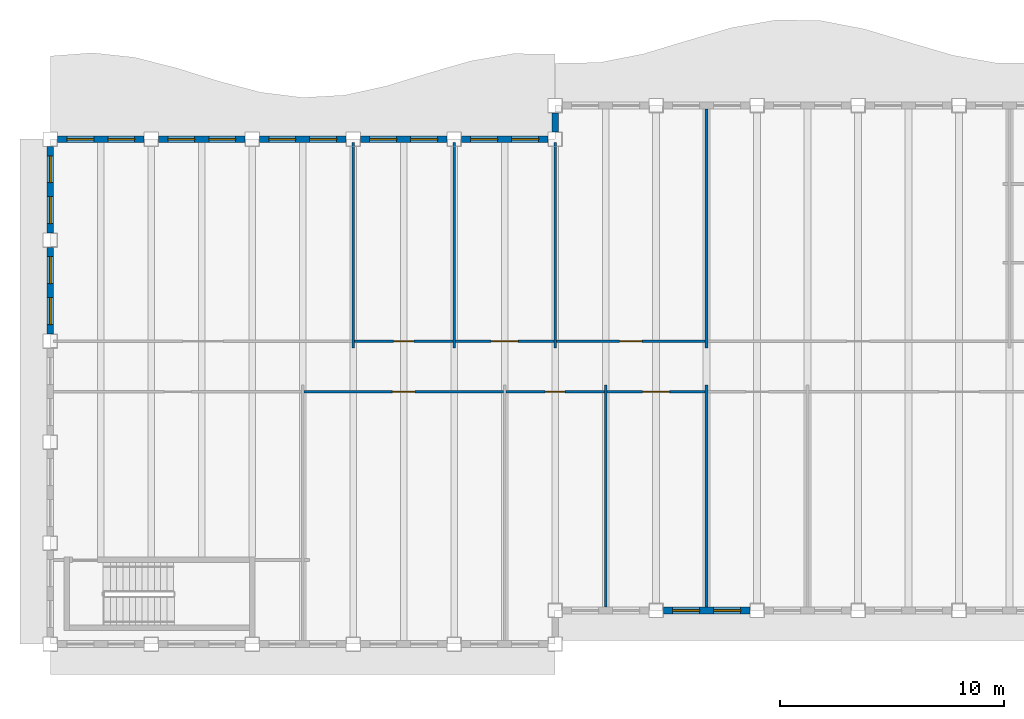
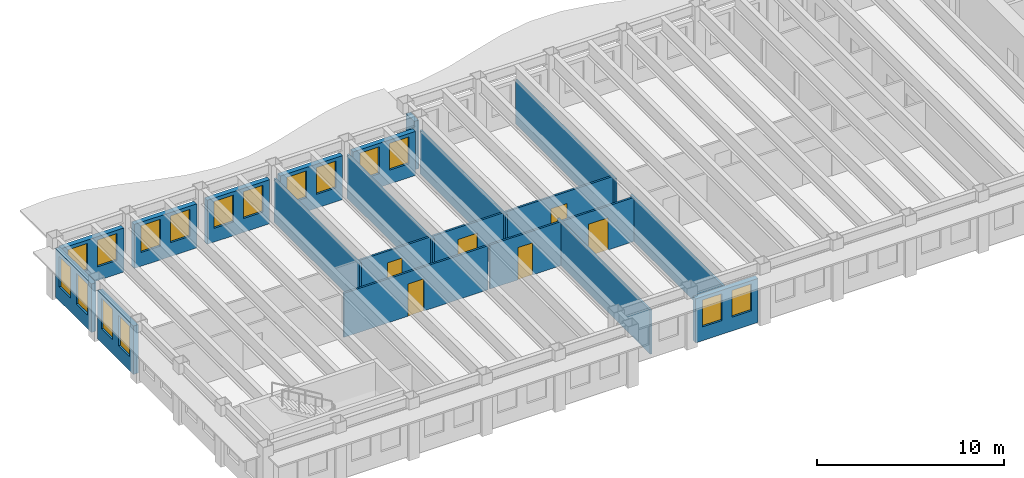
# One storey, part 3 of 12: 21 walls, 16 windows, 6 doors, 22 openings.
"""IFC4 building model written with IfcOpenShell, lengths in metres."""

import ifcopenshell
import ifcopenshell.guid

model = None  # the IFC model being written
_history = None  # IfcOwnerHistory: only IFC2X3 demands one
_inside = {}  # id of a spatial element -> (the spatial element, [elements in it])
_under = {}  # id of a project, library or spatial element -> (it, [spatial elements below it])
_declared = {}  # id of a project -> (the project, [libraries it declares])
_typed = {}  # id of a type object -> (the type object, [elements of that type])
_made_of = {}  # id of a material, layer set ... -> (it, [elements and type objects made of it])


def new_model(schema):
    """Start an empty IFC model of exactly this schema.

    Asked for "IFC4X3", IfcOpenShell would pick the latest addendum, in which some entities
    have other attributes; the version numbers below select the first issue.
    IFC2X3 requires an IfcOwnerHistory on every rooted entity: one is made here for all.
    """
    global model, _history
    if schema == "IFC4X3":
        model = ifcopenshell.file(schema_version=(4, 3, 0, 0))
    else:
        model = ifcopenshell.file(schema=schema)
    _inside.clear()
    _under.clear()
    _declared.clear()
    _typed.clear()
    _made_of.clear()
    _history = None
    if model.schema == "IFC2X3":
        org = make("IfcOrganization", Name="unknown")
        user = make(
            "IfcPersonAndOrganization",
            ThePerson=make("IfcPerson", FamilyName="unknown"),
            TheOrganization=org,
        )
        app = make(
            "IfcApplication",
            ApplicationDeveloper=org,
            Version="unknown",
            ApplicationFullName="unknown",
            ApplicationIdentifier="unknown",
        )
        _history = make(
            "IfcOwnerHistory",
            OwningUser=user,
            OwningApplication=app,
            ChangeAction="ADDED",
            CreationDate=0,
        )
    return model


def make(cls, **values):
    """One entity of the class cls with the attributes given. An attribute that is None is left unset."""
    return model.create_entity(
        cls, **{name: value for name, value in values.items() if value is not None}
    )


def rooted(cls, **values):
    """An entity with a GlobalId (a new one), such as an element, a storey or a relation."""
    return make(cls, GlobalId=ifcopenshell.guid.new(), OwnerHistory=_history, **values)


def si_unit(unit_type, name, prefix=None):
    """IfcSIUnit, for example si_unit("LENGTHUNIT", "METRE", prefix="MILLI")."""
    return make("IfcSIUnit", UnitType=unit_type, Prefix=prefix, Name=name)


def assignment(units):
    """IfcUnitAssignment: the units of a project."""
    return None if units is None else make("IfcUnitAssignment", Units=units)


def point(xyz):
    """IfcCartesianPoint."""
    return None if xyz is None else make("IfcCartesianPoint", Coordinates=xyz)


def direction(xyz):
    """IfcDirection."""
    return None if xyz is None else make("IfcDirection", DirectionRatios=xyz)


def frame(location, z_axis=None, x_axis=None):
    """IfcAxis2Placement3D, a coordinate frame: its origin and axes. An axis left out is left unset."""
    return make(
        "IfcAxis2Placement3D",
        Location=point(location),
        Axis=direction(z_axis),
        RefDirection=direction(x_axis),
    )


def frame_2d(location, x_axis=None):
    """IfcAxis2Placement2D, a coordinate frame in the plane: its origin and x axis."""
    return make(
        "IfcAxis2Placement2D", Location=point(location), RefDirection=direction(x_axis)
    )


def origin():
    """The frame at (0, 0, 0) with its axes left unset."""
    return frame((0.0, 0.0, 0.0))


def place(relative_to, where):
    """IfcLocalPlacement: puts the frame where relative to a parent placement (None: the world)."""
    return make(
        "IfcLocalPlacement", PlacementRelTo=relative_to, RelativePlacement=where
    )


def context(
    kind, dimensions, precision=None, world=None, true_north=None, identifier=None
):
    """IfcGeometricRepresentationContext, for example the 3D "Model" context."""
    return make(
        "IfcGeometricRepresentationContext",
        ContextIdentifier=identifier,
        ContextType=kind,
        CoordinateSpaceDimension=dimensions,
        Precision=precision,
        WorldCoordinateSystem=world,
        TrueNorth=true_north,
    )


def subcontext(parent, identifier, kind, view, scale=None):
    """IfcGeometricRepresentationSubContext, for example "Body" below "Model"."""
    return make(
        "IfcGeometricRepresentationSubContext",
        ContextIdentifier=identifier,
        ContextType=kind,
        ParentContext=parent,
        TargetScale=scale,
        TargetView=view,
    )


def project(units=None, contexts=None):
    """IfcProject with its units and contexts."""
    return rooted(
        "IfcProject",
        Name="project",
        RepresentationContexts=contexts,
        UnitsInContext=assignment(units),
    )


def spatial(cls, under=None, at=None, **own):
    """A site, building, storey or space (cls), placed at a placement, below another one or the project."""
    s = rooted(cls, ObjectPlacement=at, **own)
    if under is not None:
        _under.setdefault(under.id(), (under, []))[1].append(s)
    return s


def profile(cls, at=None, kind="AREA", **sizes):
    """A parametric profile (cls). Its sizes go by their IFC names, for example OverallWidth=200.0."""
    return make(cls, ProfileType=kind, Position=at, **sizes)


def rectangle(**sizes):
    """IfcRectangleProfileDef."""
    return profile("IfcRectangleProfileDef", **sizes)


def extrude(swept, where, along, depth):
    """IfcExtrudedAreaSolid: the profile swept, set in the frame where, extruded along a direction by depth."""
    return make(
        "IfcExtrudedAreaSolid",
        SweptArea=swept,
        Position=where,
        ExtrudedDirection=direction(along),
        Depth=depth,
    )


def shape(context_of_items, identifier, shape_type, items):
    """IfcShapeRepresentation: the items that make up one representation, for example the "Body"."""
    return make(
        "IfcShapeRepresentation",
        ContextOfItems=context_of_items,
        RepresentationIdentifier=identifier,
        RepresentationType=shape_type,
        Items=items,
    )


def material(Name=None, Category=None):
    """IfcMaterial."""
    return make("IfcMaterial", Name=Name, Category=Category)


def layer(
    of_material, thickness, ventilated=None, Name=None, Category=None, Priority=None
):
    """IfcMaterialLayer: one layer of a wall or slab, of a material (None: an air gap)."""
    return make(
        "IfcMaterialLayer",
        Material=of_material,
        LayerThickness=thickness,
        IsVentilated=ventilated,
        Name=Name,
        Category=Category,
        Priority=Priority,
    )


def layer_set(layers, Name=None):
    """IfcMaterialLayerSet."""
    return make("IfcMaterialLayerSet", MaterialLayers=layers, LayerSetName=Name)


def made_of(thing, what):
    """Note that an element or type object is made of a material, layer set ...; save() writes the relation."""
    if what is not None:
        _made_of.setdefault(what.id(), (what, []))[1].append(thing)
    return thing


def type_object(cls, material=None, **own):
    """A type object (cls), such as IfcWallType, which elements share."""
    return made_of(rooted(cls, **own), material)


def element(
    cls,
    number,
    at=None,
    inside=None,
    cuts=None,
    type_object=None,
    material=None,
    context=None,
    identifier="Body",
    shape_type=None,
    held_by="IfcProductDefinitionShape",
    body=None,
    shapes=None,
    **own,
):
    """One element of the class cls, such as IfcWall. Its Tag is "e" and its number.

    at: its placement. inside: the storey or other place that contains it. cuts: it is an
    opening in that element (IfcRelVoidsElement). A single representation is given by context,
    identifier, shape_type and body (its items); several are given by shapes. held_by: the class
    of the entity that holds the representations. save() writes the other relations.
    """
    e = rooted(cls, Tag="e%d" % number, ObjectPlacement=at, **own)
    if body is not None:
        shapes = [shape(context, identifier, shape_type, body)]
    if shapes is not None:
        e.Representation = make(held_by, Representations=shapes)
    if inside is not None:
        _inside.setdefault(inside.id(), (inside, []))[1].append(e)
    if cuts is not None:
        rooted(
            "IfcRelVoidsElement", RelatingBuildingElement=cuts, RelatedOpeningElement=e
        )
    if type_object is not None:
        _typed.setdefault(type_object.id(), (type_object, []))[1].append(e)
    return made_of(e, material)


def fill(opening, filler):
    """IfcRelFillsElement: the door or window that sits in an opening."""
    return rooted(
        "IfcRelFillsElement",
        RelatingOpeningElement=opening,
        RelatedBuildingElement=filler,
    )


def aggregate(whole, parts):
    """IfcRelAggregates: a whole, such as a stair, and the parts it consists of."""
    return rooted("IfcRelAggregates", RelatingObject=whole, RelatedObjects=parts)


def save(model, path):
    """Write the relations noted so far, then the file.

    IfcRelAggregates (storeys below a building ...), IfcRelContainedInSpatialStructure (elements
    in a storey), IfcRelDefinesByType, IfcRelAssociatesMaterial and IfcRelDeclares: one each for
    every whole, place, type object, material and project.
    """
    for whole, parts in _under.values():
        aggregate(whole, parts)
    for where, things in _inside.values():
        rooted(
            "IfcRelContainedInSpatialStructure",
            RelatedElements=things,
            RelatingStructure=where,
        )
    for kind, things in _typed.values():
        rooted("IfcRelDefinesByType", RelatedObjects=things, RelatingType=kind)
    for what, things in _made_of.values():
        rooted("IfcRelAssociatesMaterial", RelatedObjects=things, RelatingMaterial=what)
    for by, libraries in _declared.values():
        rooted("IfcRelDeclares", RelatingContext=by, RelatedDefinitions=libraries)
    model.write(path)


model = new_model("IFC4")

# Units and contexts
model_context = context("Model", 3, precision=1e-05, world=origin(), true_north=direction((0.0, 1.0)))
body_context = subcontext(model_context, "Body", "Model", "MODEL_VIEW")
ifc_project = project(units=[si_unit("LENGTHUNIT", "METRE"), si_unit("AREAUNIT", "SQUARE_METRE"), si_unit("VOLUMEUNIT", "CUBIC_METRE"), si_unit("PLANEANGLEUNIT", "RADIAN"), si_unit("MASSUNIT", "GRAM", prefix="KILO")], contexts=[model_context])

# Site, building, storey
site_placement = place(None, origin())
site = spatial("IfcSite", under=ifc_project, at=site_placement, CompositionType="ELEMENT")
building_placement = place(site_placement, origin())
building = spatial("IfcBuilding", under=site, at=building_placement, Name="Sennacour Bend Tower", CompositionType="ELEMENT")
storey_placement = place(building_placement, frame((0.0, 0.0, 265.0)))
storey = spatial("IfcBuildingStorey", under=building, at=storey_placement, Name="L61", CompositionType="ELEMENT", Elevation=265.0)

# Walls
ifc_material_1 = material(Name="Plasterboard partition on steel studs", Category="steel")
ifc_layer_1 = layer(ifc_material_1, 0.1201171875, Name="Plasterboard partition on steel studs", Category="steel")
ifc_layer_set_1 = layer_set([ifc_layer_1], Name="Plasterboard partition on steel studs")
wall_type_1 = type_object("IfcWallType", Name="Partition 120", PredefinedType="PARTITIONING", material=ifc_layer_set_1)
for number, where, z_axis, x_axis, name in (
    (1, (13.5, 13.199951171875, 0.0), (0.0, 0.0, 1.0), (0.0, 1.0, 0.0), "P-L61-W005a"),
    (2, (18.0, 13.199951171875, 0.0), (0.0, 0.0, 1.0), (0.0, 1.0, 0.0), "P-L61-W006a"),
    (3, (22.5, 13.199951171875, 0.0), (0.0, 0.0, 1.0), (0.0, 1.0, 0.0), "P-L61-W008a"),
):
    element("IfcWall", number, at=place(storey_placement, frame(where, z_axis=z_axis, x_axis=x_axis)), inside=storey, type_object=wall_type_1, Name=name, PredefinedType="PARTITIONING", context=body_context, shape_type="SweptSolid", body=[
        extrude(rectangle(XDim=9.150146484375, YDim=0.1201171875, at=frame_2d((4.5751953125, 0.0))), origin(), (0.0, 0.0, 1.0), 2.8701171875),
    ])
for number, where, z_axis, x_axis, name in (
    (4, (24.75, 1.64990234375, 0.0), (0.0, 0.0, 1.0), (0.0, 1.0, 0.0), "P-L61-W009a"),
    (5, (29.25, 1.64990234375, 0.0), (0.0, 0.0, 1.0), (0.0, 1.0, 0.0), "P-L61-W010a"),
):
    element("IfcWall", number, at=place(storey_placement, frame(where, z_axis=z_axis, x_axis=x_axis)), inside=storey, type_object=wall_type_1, Name=name, PredefinedType="PARTITIONING", context=body_context, shape_type="SweptSolid", body=[
        extrude(rectangle(XDim=9.900146484375, YDim=0.1201171875, at=frame_2d((4.9501953125, 0.0))), origin(), (0.0, 0.0, 1.0), 2.8701171875),
    ])
wall_1_placement = place(storey_placement, frame((29.25, 13.199951171875, 0.0), z_axis=(0.0, 0.0, 1.0), x_axis=(0.0, 1.0, 0.0)))
element("IfcWall", 6, at=wall_1_placement, inside=storey, type_object=wall_type_1, Name="P-L61-W011a", PredefinedType="PARTITIONING", context=body_context, shape_type="SweptSolid", body=[
    extrude(rectangle(XDim=10.650146484375, YDim=0.1201171875, at=frame_2d((5.3251953125, 0.0))), origin(), (0.0, 0.0, 1.0), 2.8701171875),
])

# Wall, opening, door
wall_2_placement = place(storey_placement, frame((11.31005859375, 11.25, 0.0), z_axis=(0.0, 0.0, 1.0), x_axis=(1.0, 0.0, 0.0)))
wall_2 = element("IfcWall", 7, at=wall_2_placement, inside=storey, type_object=wall_type_1, Name="P-L61-W039ab", PredefinedType="PARTITIONING", context=body_context, shape_type="SweptSolid", body=[
    extrude(rectangle(XDim=8.8798828125, YDim=0.1201171875, at=frame_2d((4.43994140625, 0.0))), origin(), (0.0, 0.0, 1.0), 2.8701171875),
])
opening_1_placement = place(wall_2_placement, frame((3.93994140625, 0.0, 0.0)))
opening_1 = element("IfcOpeningElement", 8, at=opening_1_placement, cuts=wall_2, Name="Opening OD2", PredefinedType="OPENING", context=body_context, shape_type="SweptSolid", body=[
    extrude(rectangle(XDim=1.0, YDim=2.10009765625, at=frame_2d((0.5, 1.050048828125))), frame((0.0, 0.070068359375, 0.0), z_axis=(0.0, -1.0, 0.0), x_axis=(1.0, 0.0, 0.0)), (0.0, 0.0, 1.0), 0.14013671875),
])
ifc_material_2 = material(Name="Timber", Category="wood")
door_type_1 = type_object("IfcDoorType", Name="DR-OFFICE-1000", OperationType="NOTDEFINED", PredefinedType="DOOR", material=ifc_material_2)
door_1_placement = place(opening_1_placement, origin())
door_1 = element("IfcDoor", 9, at=door_1_placement, inside=storey, type_object=door_type_1, Name="Door", OperationType="SINGLE_SWING_LEFT", OverallHeight=2.10009765625, OverallWidth=1.0, PredefinedType="DOOR", context=body_context, shape_type="SweptSolid", body=[
    extrude(rectangle(XDim=1.0, YDim=2.10009765625, at=frame_2d((0.5, 1.050048828125))), frame((0.0, 0.02490234375, 0.0), z_axis=(0.0, -1.0, 0.0), x_axis=(1.0, 0.0, 0.0)), (0.0, 0.0, 1.0), 0.050048828125),
])
fill(opening_1, door_1)

wall_3_placement = place(storey_placement, frame((24.81005859375, 11.25, 0.0), z_axis=(0.0, 0.0, 1.0), x_axis=(1.0, 0.0, 0.0)))
wall_3 = element("IfcWall", 10, at=wall_3_placement, inside=storey, type_object=wall_type_1, Name="P-L61-W039ad", PredefinedType="PARTITIONING", context=body_context, shape_type="SweptSolid", body=[
    extrude(rectangle(XDim=4.3798828125, YDim=0.1201171875, at=frame_2d((2.18994140625, 0.0))), origin(), (0.0, 0.0, 1.0), 2.8701171875),
])
opening_2_placement = place(wall_3_placement, frame((1.58984375, 0.0, 0.0)))
opening_2 = element("IfcOpeningElement", 11, at=opening_2_placement, cuts=wall_3, Name="Opening OD", PredefinedType="OPENING", context=body_context, shape_type="SweptSolid", body=[
    extrude(rectangle(XDim=1.199951171875, YDim=2.10009765625, at=frame_2d((0.60009765625, 1.050048828125))), frame((0.0, 0.070068359375, 0.0), z_axis=(0.0, -1.0, 0.0), x_axis=(1.0, 0.0, 0.0)), (0.0, 0.0, 1.0), 0.14013671875),
])
door_type_2 = type_object("IfcDoorType", Name="DR-OFFICE-1200", OperationType="NOTDEFINED", PredefinedType="DOOR", material=ifc_material_2)
door_2_placement = place(opening_2_placement, origin())
door_2 = element("IfcDoor", 12, at=door_2_placement, inside=storey, type_object=door_type_2, Name="Door", OperationType="SINGLE_SWING_LEFT", OverallHeight=2.10009765625, OverallWidth=1.199951171875, PredefinedType="DOOR", context=body_context, shape_type="SweptSolid", body=[
    extrude(rectangle(XDim=1.199951171875, YDim=2.10009765625, at=frame_2d((0.60009765625, 1.050048828125))), frame((0.0, 0.02490234375, 0.0), z_axis=(0.0, -1.0, 0.0), x_axis=(1.0, 0.0, 0.0)), (0.0, 0.0, 1.0), 0.050048828125),
])
fill(opening_2, door_2)

wall_4_placement = place(storey_placement, frame((18.06005859375, 13.5, 0.0), z_axis=(0.0, 0.0, 1.0), x_axis=(1.0, 0.0, 0.0)))
wall_4 = element("IfcWall", 13, at=wall_4_placement, inside=storey, type_object=wall_type_1, Name="P-L61-W041ac", PredefinedType="PARTITIONING", context=body_context, shape_type="SweptSolid", body=[
    extrude(rectangle(XDim=4.3798828125, YDim=0.1201171875, at=frame_2d((2.18994140625, 0.0))), origin(), (0.0, 0.0, 1.0), 2.8701171875),
])
opening_3_placement = place(wall_4_placement, frame((1.58984375, 0.0, 0.0)))
opening_3 = element("IfcOpeningElement", 14, at=opening_3_placement, cuts=wall_4, Name="Opening OD", PredefinedType="OPENING", context=body_context, shape_type="SweptSolid", body=[
    extrude(rectangle(XDim=1.199951171875, YDim=2.10009765625, at=frame_2d((0.60009765625, 1.050048828125))), frame((0.0, 0.070068359375, 0.0), z_axis=(0.0, -1.0, 0.0), x_axis=(1.0, 0.0, 0.0)), (0.0, 0.0, 1.0), 0.14013671875),
])
door_3_placement = place(opening_3_placement, origin())
door_3 = element("IfcDoor", 15, at=door_3_placement, inside=storey, type_object=door_type_2, Name="Door", OperationType="SINGLE_SWING_LEFT", OverallHeight=2.10009765625, OverallWidth=1.199951171875, PredefinedType="DOOR", context=body_context, shape_type="SweptSolid", body=[
    extrude(rectangle(XDim=1.199951171875, YDim=2.10009765625, at=frame_2d((0.60009765625, 1.050048828125))), frame((0.0, 0.02490234375, 0.0), z_axis=(0.0, -1.0, 0.0), x_axis=(1.0, 0.0, 0.0)), (0.0, 0.0, 1.0), 0.050048828125),
])
fill(opening_3, door_3)

wall_5_placement = place(storey_placement, frame((22.56005859375, 13.5, 0.0), z_axis=(0.0, 0.0, 1.0), x_axis=(1.0, 0.0, 0.0)))
wall_5 = element("IfcWall", 16, at=wall_5_placement, inside=storey, type_object=wall_type_1, Name="P-L61-W041ad", PredefinedType="PARTITIONING", context=body_context, shape_type="SweptSolid", body=[
    extrude(rectangle(XDim=6.6298828125, YDim=0.1201171875, at=frame_2d((3.31494140625, 0.0))), origin(), (0.0, 0.0, 1.0), 2.8701171875),
])
opening_4_placement = place(wall_5_placement, frame((2.81494140625, 0.0, 0.0)))
opening_4 = element("IfcOpeningElement", 17, at=opening_4_placement, cuts=wall_5, Name="Opening OD2", PredefinedType="OPENING", context=body_context, shape_type="SweptSolid", body=[
    extrude(rectangle(XDim=1.0, YDim=2.10009765625, at=frame_2d((0.5, 1.050048828125))), frame((0.0, 0.070068359375, 0.0), z_axis=(0.0, -1.0, 0.0), x_axis=(1.0, 0.0, 0.0)), (0.0, 0.0, 1.0), 0.14013671875),
])
door_4_placement = place(opening_4_placement, origin())
door_4 = element("IfcDoor", 18, at=door_4_placement, inside=storey, type_object=door_type_1, Name="Door", OperationType="SINGLE_SWING_LEFT", OverallHeight=2.10009765625, OverallWidth=1.0, PredefinedType="DOOR", context=body_context, shape_type="SweptSolid", body=[
    extrude(rectangle(XDim=1.0, YDim=2.10009765625, at=frame_2d((0.5, 1.050048828125))), frame((0.0, 0.02490234375, 0.0), z_axis=(0.0, -1.0, 0.0), x_axis=(1.0, 0.0, 0.0)), (0.0, 0.0, 1.0), 0.050048828125),
])
fill(opening_4, door_4)

ifc_layer_2 = layer(ifc_material_1, 0.1201171875, Name="Plasterboard partition on steel studs", Category="steel")
ifc_layer_set_2 = layer_set([ifc_layer_2], Name="Plasterboard partition on steel studs")
wall_type_2 = type_object("IfcWallType", Name="Partition 120 EI 60", PredefinedType="PARTITIONING", material=ifc_layer_set_2)
wall_6_placement = place(storey_placement, frame((20.31005859375, 11.25, 0.0), z_axis=(0.0, 0.0, 1.0), x_axis=(1.0, 0.0, 0.0)))
wall_6 = element("IfcWall", 19, at=wall_6_placement, inside=storey, type_object=wall_type_2, Name="P-L61-W039ac", PredefinedType="PARTITIONING", context=body_context, shape_type="SweptSolid", body=[
    extrude(rectangle(XDim=4.3798828125, YDim=0.1201171875, at=frame_2d((2.18994140625, 0.0))), origin(), (0.0, 0.0, 1.0), 2.8701171875),
])
opening_5_placement = place(wall_6_placement, frame((1.739990234375, 0.0, 0.0)))
opening_5 = element("IfcOpeningElement", 20, at=opening_5_placement, cuts=wall_6, Name="Opening SV", PredefinedType="OPENING", context=body_context, shape_type="SweptSolid", body=[
    extrude(rectangle(XDim=0.89990234375, YDim=2.10009765625, at=frame_2d((0.449951171875, 1.050048828125))), frame((0.0, 0.070068359375, 0.0), z_axis=(0.0, -1.0, 0.0), x_axis=(1.0, 0.0, 0.0)), (0.0, 0.0, 1.0), 0.14013671875),
])
ifc_material_3 = material(Name="Painted steel", Category="steel")
door_type_3 = type_object("IfcDoorType", Name="DR-SERVICE-900", OperationType="NOTDEFINED", PredefinedType="DOOR", material=ifc_material_3)
door_5_placement = place(opening_5_placement, origin())
door_5 = element("IfcDoor", 21, at=door_5_placement, inside=storey, type_object=door_type_3, Name="Door", OperationType="SINGLE_SWING_LEFT", OverallHeight=2.10009765625, OverallWidth=0.89990234375, PredefinedType="DOOR", context=body_context, shape_type="SweptSolid", body=[
    extrude(rectangle(XDim=0.89990234375, YDim=2.10009765625, at=frame_2d((0.449951171875, 1.050048828125))), frame((0.0, 0.02490234375, 0.0), z_axis=(0.0, -1.0, 0.0), x_axis=(1.0, 0.0, 0.0)), (0.0, 0.0, 1.0), 0.050048828125),
])
fill(opening_5, door_5)

wall_7_placement = place(storey_placement, frame((13.56005859375, 13.5, 0.0), z_axis=(0.0, 0.0, 1.0), x_axis=(1.0, 0.0, 0.0)))
wall_7 = element("IfcWall", 22, at=wall_7_placement, inside=storey, type_object=wall_type_2, Name="P-L61-W041ab", PredefinedType="PARTITIONING", context=body_context, shape_type="SweptSolid", body=[
    extrude(rectangle(XDim=4.3798828125, YDim=0.1201171875, at=frame_2d((2.18994140625, 0.0))), origin(), (0.0, 0.0, 1.0), 2.8701171875),
])
opening_6_placement = place(wall_7_placement, frame((1.739990234375, 0.0, 0.0)))
opening_6 = element("IfcOpeningElement", 23, at=opening_6_placement, cuts=wall_7, Name="Opening SV", PredefinedType="OPENING", context=body_context, shape_type="SweptSolid", body=[
    extrude(rectangle(XDim=0.89990234375, YDim=2.10009765625, at=frame_2d((0.449951171875, 1.050048828125))), frame((0.0, 0.070068359375, 0.0), z_axis=(0.0, -1.0, 0.0), x_axis=(1.0, 0.0, 0.0)), (0.0, 0.0, 1.0), 0.14013671875),
])
door_6_placement = place(opening_6_placement, origin())
door_6 = element("IfcDoor", 24, at=door_6_placement, inside=storey, type_object=door_type_3, Name="Door", OperationType="SINGLE_SWING_LEFT", OverallHeight=2.10009765625, OverallWidth=0.89990234375, PredefinedType="DOOR", context=body_context, shape_type="SweptSolid", body=[
    extrude(rectangle(XDim=0.89990234375, YDim=2.10009765625, at=frame_2d((0.449951171875, 1.050048828125))), frame((0.0, 0.02490234375, 0.0), z_axis=(0.0, -1.0, 0.0), x_axis=(1.0, 0.0, 0.0)), (0.0, 0.0, 1.0), 0.050048828125),
])
fill(opening_6, door_6)

# Wall, openings, windows
ifc_material_4 = material(Name="Warm limestone cladding", Category="masonry")
ifc_layer_3 = layer(ifc_material_4, 0.050048828125, Name="Warm limestone cladding", Category="masonry")
ifc_material_5 = material(Name="Precast concrete C40/50", Category="concrete")
ifc_layer_4 = layer(ifc_material_5, 0.25, Name="Precast concrete C40/50", Category="concrete")
ifc_layer_set_3 = layer_set([ifc_layer_3, ifc_layer_4], Name="Precast concrete C40/50 with limestone cladding")
wall_type_3 = type_object("IfcWallType", Name="STONE-CLAD PRECAST SPANDREL 300", PredefinedType="STANDARD", material=ifc_layer_set_3)
wall_8_placement = place(storey_placement, frame((27.324951171875, 1.5, 0.0), z_axis=(0.0, 0.0, 1.0), x_axis=(1.0, 0.0, 0.0)))
wall_8 = element("IfcWall", 25, at=wall_8_placement, inside=storey, type_object=wall_type_3, Name="Stone spandrel and pier wall L61 01.01", PredefinedType="STANDARD", context=body_context, shape_type="SweptSolid", body=[
    extrude(rectangle(XDim=3.85009765625, YDim=0.300048828125, at=frame_2d((1.925048828125, 0.0))), origin(), (0.0, 0.0, 1.0), 2.8701171875),
])
opening_7_placement = place(wall_8_placement, frame((0.41259765625, 0.0, 0.89990234375)))
opening_7 = element("IfcOpeningElement", 26, at=opening_7_placement, cuts=wall_8, Name="Opening W16", PredefinedType="OPENING", context=body_context, shape_type="SweptSolid", body=[
    extrude(rectangle(XDim=1.199951171875, YDim=1.75, at=frame_2d((0.60009765625, 0.875))), frame((0.0, 0.16015625, 0.0), z_axis=(0.0, -1.0, 0.0), x_axis=(1.0, 0.0, 0.0)), (0.0, 0.0, 1.0), 0.320068359375),
])
opening_8_placement = place(wall_8_placement, frame((2.237548828125, 0.0, 0.89990234375)))
opening_8 = element("IfcOpeningElement", 27, at=opening_8_placement, cuts=wall_8, Name="Opening W16", PredefinedType="OPENING", context=body_context, shape_type="SweptSolid", body=[
    extrude(rectangle(XDim=1.199951171875, YDim=1.75, at=frame_2d((0.60009765625, 0.875))), frame((0.0, 0.16015625, 0.0), z_axis=(0.0, -1.0, 0.0), x_axis=(1.0, 0.0, 0.0)), (0.0, 0.0, 1.0), 0.320068359375),
])
ifc_material_6 = material(Name="Clear low-emissivity glass", Category="glass")
window_type_1 = type_object("IfcWindowType", Name="WIN-RIBBON-1200x1750", PartitioningType="SINGLE_PANEL", PredefinedType="WINDOW", material=ifc_material_6)
window_1_placement = place(opening_7_placement, origin())
window_1 = element("IfcWindow", 28, at=window_1_placement, inside=storey, type_object=window_type_1, Name="Ribbon window L61 01.01.0", OverallHeight=1.75, OverallWidth=1.199951171875, PartitioningType="SINGLE_PANEL", PredefinedType="WINDOW", context=body_context, shape_type="SweptSolid", body=[
    extrude(rectangle(XDim=1.199951171875, YDim=1.75, at=frame_2d((0.60009765625, 0.875))), frame((0.0, 0.030029296875, 0.0), z_axis=(0.0, -1.0, 0.0), x_axis=(1.0, 0.0, 0.0)), (0.0, 0.0, 1.0), 0.06005859375),
])
fill(opening_7, window_1)
window_2_placement = place(opening_8_placement, origin())
window_2 = element("IfcWindow", 29, at=window_2_placement, inside=storey, type_object=window_type_1, Name="Ribbon window L61 01.01.1", OverallHeight=1.75, OverallWidth=1.199951171875, PartitioningType="SINGLE_PANEL", PredefinedType="WINDOW", context=body_context, shape_type="SweptSolid", body=[
    extrude(rectangle(XDim=1.199951171875, YDim=1.75, at=frame_2d((0.60009765625, 0.875))), frame((0.0, 0.030029296875, 0.0), z_axis=(0.0, -1.0, 0.0), x_axis=(1.0, 0.0, 0.0)), (0.0, 0.0, 1.0), 0.06005859375),
])
fill(opening_8, window_2)

# Wall
wall_9_placement = place(storey_placement, frame((22.5, 23.675048828125, 0.0), z_axis=(0.0, 0.0, 1.0), x_axis=(0.0, -1.0, 0.0)))
element("IfcWall", 30, at=wall_9_placement, inside=storey, type_object=wall_type_3, Name="Stone spandrel and pier wall L61 08.00", PredefinedType="STANDARD", context=body_context, shape_type="SweptSolid", body=[
    extrude(rectangle(XDim=0.85009765625, YDim=0.300048828125, at=frame_2d((0.425048828125, 0.0))), origin(), (0.0, 0.0, 1.0), 3.162109375),
])

# Wall, openings, windows
wall_10_placement = place(storey_placement, frame((22.175048828125, 22.5, 0.0), z_axis=(0.0, 0.0, 1.0), x_axis=(-1.0, 0.0, 0.0)))
wall_10 = element("IfcWall", 31, at=wall_10_placement, inside=storey, type_object=wall_type_3, Name="Stone spandrel and pier wall L61 09.00", PredefinedType="STANDARD", context=body_context, shape_type="SweptSolid", body=[
    extrude(rectangle(XDim=3.85009765625, YDim=0.300048828125, at=frame_2d((1.925048828125, 0.0))), origin(), (0.0, 0.0, 1.0), 2.8701171875),
])
opening_9_placement = place(wall_10_placement, frame((0.41259765625, 0.0, 0.89990234375)))
opening_9 = element("IfcOpeningElement", 32, at=opening_9_placement, cuts=wall_10, Name="Opening W16", PredefinedType="OPENING", context=body_context, shape_type="SweptSolid", body=[
    extrude(rectangle(XDim=1.199951171875, YDim=1.75, at=frame_2d((0.60009765625, 0.875))), frame((0.0, 0.16015625, 0.0), z_axis=(0.0, -1.0, 0.0), x_axis=(1.0, 0.0, 0.0)), (0.0, 0.0, 1.0), 0.320068359375),
])
opening_10_placement = place(wall_10_placement, frame((2.237548828125, 0.0, 0.89990234375)))
opening_10 = element("IfcOpeningElement", 33, at=opening_10_placement, cuts=wall_10, Name="Opening W16", PredefinedType="OPENING", context=body_context, shape_type="SweptSolid", body=[
    extrude(rectangle(XDim=1.199951171875, YDim=1.75, at=frame_2d((0.60009765625, 0.875))), frame((0.0, 0.16015625, 0.0), z_axis=(0.0, -1.0, 0.0), x_axis=(1.0, 0.0, 0.0)), (0.0, 0.0, 1.0), 0.320068359375),
])
window_3_placement = place(opening_9_placement, origin())
window_3 = element("IfcWindow", 34, at=window_3_placement, inside=storey, type_object=window_type_1, Name="Ribbon window L61 09.00.0", OverallHeight=1.75, OverallWidth=1.199951171875, PartitioningType="SINGLE_PANEL", PredefinedType="WINDOW", context=body_context, shape_type="SweptSolid", body=[
    extrude(rectangle(XDim=1.199951171875, YDim=1.75, at=frame_2d((0.60009765625, 0.875))), frame((0.0, 0.030029296875, 0.0), z_axis=(0.0, -1.0, 0.0), x_axis=(1.0, 0.0, 0.0)), (0.0, 0.0, 1.0), 0.06005859375),
])
fill(opening_9, window_3)
window_4_placement = place(opening_10_placement, origin())
window_4 = element("IfcWindow", 35, at=window_4_placement, inside=storey, type_object=window_type_1, Name="Ribbon window L61 09.00.1", OverallHeight=1.75, OverallWidth=1.199951171875, PartitioningType="SINGLE_PANEL", PredefinedType="WINDOW", context=body_context, shape_type="SweptSolid", body=[
    extrude(rectangle(XDim=1.199951171875, YDim=1.75, at=frame_2d((0.60009765625, 0.875))), frame((0.0, 0.030029296875, 0.0), z_axis=(0.0, -1.0, 0.0), x_axis=(1.0, 0.0, 0.0)), (0.0, 0.0, 1.0), 0.06005859375),
])
fill(opening_10, window_4)

wall_11_placement = place(storey_placement, frame((17.675048828125, 22.5, 0.0), z_axis=(0.0, 0.0, 1.0), x_axis=(-1.0, 0.0, 0.0)))
wall_11 = element("IfcWall", 36, at=wall_11_placement, inside=storey, type_object=wall_type_3, Name="Stone spandrel and pier wall L61 09.01", PredefinedType="STANDARD", context=body_context, shape_type="SweptSolid", body=[
    extrude(rectangle(XDim=3.85009765625, YDim=0.300048828125, at=frame_2d((1.925048828125, 0.0))), origin(), (0.0, 0.0, 1.0), 2.8701171875),
])
opening_11_placement = place(wall_11_placement, frame((0.41259765625, 0.0, 0.89990234375)))
opening_11 = element("IfcOpeningElement", 37, at=opening_11_placement, cuts=wall_11, Name="Opening W16", PredefinedType="OPENING", context=body_context, shape_type="SweptSolid", body=[
    extrude(rectangle(XDim=1.199951171875, YDim=1.75, at=frame_2d((0.60009765625, 0.875))), frame((0.0, 0.16015625, 0.0), z_axis=(0.0, -1.0, 0.0), x_axis=(1.0, 0.0, 0.0)), (0.0, 0.0, 1.0), 0.320068359375),
])
opening_12_placement = place(wall_11_placement, frame((2.237548828125, 0.0, 0.89990234375)))
opening_12 = element("IfcOpeningElement", 38, at=opening_12_placement, cuts=wall_11, Name="Opening W16", PredefinedType="OPENING", context=body_context, shape_type="SweptSolid", body=[
    extrude(rectangle(XDim=1.199951171875, YDim=1.75, at=frame_2d((0.60009765625, 0.875))), frame((0.0, 0.16015625, 0.0), z_axis=(0.0, -1.0, 0.0), x_axis=(1.0, 0.0, 0.0)), (0.0, 0.0, 1.0), 0.320068359375),
])
window_5_placement = place(opening_11_placement, origin())
window_5 = element("IfcWindow", 39, at=window_5_placement, inside=storey, type_object=window_type_1, Name="Ribbon window L61 09.01.0", OverallHeight=1.75, OverallWidth=1.199951171875, PartitioningType="SINGLE_PANEL", PredefinedType="WINDOW", context=body_context, shape_type="SweptSolid", body=[
    extrude(rectangle(XDim=1.199951171875, YDim=1.75, at=frame_2d((0.60009765625, 0.875))), frame((0.0, 0.030029296875, 0.0), z_axis=(0.0, -1.0, 0.0), x_axis=(1.0, 0.0, 0.0)), (0.0, 0.0, 1.0), 0.06005859375),
])
fill(opening_11, window_5)
window_6_placement = place(opening_12_placement, origin())
window_6 = element("IfcWindow", 40, at=window_6_placement, inside=storey, type_object=window_type_1, Name="Ribbon window L61 09.01.1", OverallHeight=1.75, OverallWidth=1.199951171875, PartitioningType="SINGLE_PANEL", PredefinedType="WINDOW", context=body_context, shape_type="SweptSolid", body=[
    extrude(rectangle(XDim=1.199951171875, YDim=1.75, at=frame_2d((0.60009765625, 0.875))), frame((0.0, 0.030029296875, 0.0), z_axis=(0.0, -1.0, 0.0), x_axis=(1.0, 0.0, 0.0)), (0.0, 0.0, 1.0), 0.06005859375),
])
fill(opening_12, window_6)

wall_12_placement = place(storey_placement, frame((13.175048828125, 22.5, 0.0), z_axis=(0.0, 0.0, 1.0), x_axis=(-1.0, 0.0, 0.0)))
wall_12 = element("IfcWall", 41, at=wall_12_placement, inside=storey, type_object=wall_type_3, Name="Stone spandrel and pier wall L61 09.02", PredefinedType="STANDARD", context=body_context, shape_type="SweptSolid", body=[
    extrude(rectangle(XDim=3.85009765625, YDim=0.300048828125, at=frame_2d((1.925048828125, 0.0))), origin(), (0.0, 0.0, 1.0), 2.8701171875),
])
opening_13_placement = place(wall_12_placement, frame((0.41259765625, 0.0, 0.89990234375)))
opening_13 = element("IfcOpeningElement", 42, at=opening_13_placement, cuts=wall_12, Name="Opening W16", PredefinedType="OPENING", context=body_context, shape_type="SweptSolid", body=[
    extrude(rectangle(XDim=1.199951171875, YDim=1.75, at=frame_2d((0.60009765625, 0.875))), frame((0.0, 0.16015625, 0.0), z_axis=(0.0, -1.0, 0.0), x_axis=(1.0, 0.0, 0.0)), (0.0, 0.0, 1.0), 0.320068359375),
])
opening_14_placement = place(wall_12_placement, frame((2.237548828125, 0.0, 0.89990234375)))
opening_14 = element("IfcOpeningElement", 43, at=opening_14_placement, cuts=wall_12, Name="Opening W16", PredefinedType="OPENING", context=body_context, shape_type="SweptSolid", body=[
    extrude(rectangle(XDim=1.199951171875, YDim=1.75, at=frame_2d((0.60009765625, 0.875))), frame((0.0, 0.16015625, 0.0), z_axis=(0.0, -1.0, 0.0), x_axis=(1.0, 0.0, 0.0)), (0.0, 0.0, 1.0), 0.320068359375),
])
window_7_placement = place(opening_13_placement, origin())
window_7 = element("IfcWindow", 44, at=window_7_placement, inside=storey, type_object=window_type_1, Name="Ribbon window L61 09.02.0", OverallHeight=1.75, OverallWidth=1.199951171875, PartitioningType="SINGLE_PANEL", PredefinedType="WINDOW", context=body_context, shape_type="SweptSolid", body=[
    extrude(rectangle(XDim=1.199951171875, YDim=1.75, at=frame_2d((0.60009765625, 0.875))), frame((0.0, 0.030029296875, 0.0), z_axis=(0.0, -1.0, 0.0), x_axis=(1.0, 0.0, 0.0)), (0.0, 0.0, 1.0), 0.06005859375),
])
fill(opening_13, window_7)
window_8_placement = place(opening_14_placement, origin())
window_8 = element("IfcWindow", 45, at=window_8_placement, inside=storey, type_object=window_type_1, Name="Ribbon window L61 09.02.1", OverallHeight=1.75, OverallWidth=1.199951171875, PartitioningType="SINGLE_PANEL", PredefinedType="WINDOW", context=body_context, shape_type="SweptSolid", body=[
    extrude(rectangle(XDim=1.199951171875, YDim=1.75, at=frame_2d((0.60009765625, 0.875))), frame((0.0, 0.030029296875, 0.0), z_axis=(0.0, -1.0, 0.0), x_axis=(1.0, 0.0, 0.0)), (0.0, 0.0, 1.0), 0.06005859375),
])
fill(opening_14, window_8)

wall_13_placement = place(storey_placement, frame((8.675048828125, 22.5, 0.0), z_axis=(0.0, 0.0, 1.0), x_axis=(-1.0, 0.0, 0.0)))
wall_13 = element("IfcWall", 46, at=wall_13_placement, inside=storey, type_object=wall_type_3, Name="Stone spandrel and pier wall L61 09.03", PredefinedType="STANDARD", context=body_context, shape_type="SweptSolid", body=[
    extrude(rectangle(XDim=3.85009765625, YDim=0.300048828125, at=frame_2d((1.925048828125, 0.0))), origin(), (0.0, 0.0, 1.0), 2.8701171875),
])
opening_15_placement = place(wall_13_placement, frame((0.41259765625, 0.0, 0.89990234375)))
opening_15 = element("IfcOpeningElement", 47, at=opening_15_placement, cuts=wall_13, Name="Opening W16", PredefinedType="OPENING", context=body_context, shape_type="SweptSolid", body=[
    extrude(rectangle(XDim=1.199951171875, YDim=1.75, at=frame_2d((0.60009765625, 0.875))), frame((0.0, 0.16015625, 0.0), z_axis=(0.0, -1.0, 0.0), x_axis=(1.0, 0.0, 0.0)), (0.0, 0.0, 1.0), 0.320068359375),
])
opening_16_placement = place(wall_13_placement, frame((2.237548828125, 0.0, 0.89990234375)))
opening_16 = element("IfcOpeningElement", 48, at=opening_16_placement, cuts=wall_13, Name="Opening W16", PredefinedType="OPENING", context=body_context, shape_type="SweptSolid", body=[
    extrude(rectangle(XDim=1.199951171875, YDim=1.75, at=frame_2d((0.60009765625, 0.875))), frame((0.0, 0.16015625, 0.0), z_axis=(0.0, -1.0, 0.0), x_axis=(1.0, 0.0, 0.0)), (0.0, 0.0, 1.0), 0.320068359375),
])
window_9_placement = place(opening_15_placement, origin())
window_9 = element("IfcWindow", 49, at=window_9_placement, inside=storey, type_object=window_type_1, Name="Ribbon window L61 09.03.0", OverallHeight=1.75, OverallWidth=1.199951171875, PartitioningType="SINGLE_PANEL", PredefinedType="WINDOW", context=body_context, shape_type="SweptSolid", body=[
    extrude(rectangle(XDim=1.199951171875, YDim=1.75, at=frame_2d((0.60009765625, 0.875))), frame((0.0, 0.030029296875, 0.0), z_axis=(0.0, -1.0, 0.0), x_axis=(1.0, 0.0, 0.0)), (0.0, 0.0, 1.0), 0.06005859375),
])
fill(opening_15, window_9)
window_10_placement = place(opening_16_placement, origin())
window_10 = element("IfcWindow", 50, at=window_10_placement, inside=storey, type_object=window_type_1, Name="Ribbon window L61 09.03.1", OverallHeight=1.75, OverallWidth=1.199951171875, PartitioningType="SINGLE_PANEL", PredefinedType="WINDOW", context=body_context, shape_type="SweptSolid", body=[
    extrude(rectangle(XDim=1.199951171875, YDim=1.75, at=frame_2d((0.60009765625, 0.875))), frame((0.0, 0.030029296875, 0.0), z_axis=(0.0, -1.0, 0.0), x_axis=(1.0, 0.0, 0.0)), (0.0, 0.0, 1.0), 0.06005859375),
])
fill(opening_16, window_10)

wall_14_placement = place(storey_placement, frame((4.175048828125, 22.5, 0.0), z_axis=(0.0, 0.0, 1.0), x_axis=(-1.0, 0.0, 0.0)))
wall_14 = element("IfcWall", 51, at=wall_14_placement, inside=storey, type_object=wall_type_3, Name="Stone spandrel and pier wall L61 09.04", PredefinedType="STANDARD", context=body_context, shape_type="SweptSolid", body=[
    extrude(rectangle(XDim=3.85009765625, YDim=0.300048828125, at=frame_2d((1.925048828125, 0.0))), origin(), (0.0, 0.0, 1.0), 2.8701171875),
])
opening_17_placement = place(wall_14_placement, frame((0.41259765625, 0.0, 0.89990234375)))
opening_17 = element("IfcOpeningElement", 52, at=opening_17_placement, cuts=wall_14, Name="Opening W16", PredefinedType="OPENING", context=body_context, shape_type="SweptSolid", body=[
    extrude(rectangle(XDim=1.199951171875, YDim=1.75, at=frame_2d((0.60009765625, 0.875))), frame((0.0, 0.16015625, 0.0), z_axis=(0.0, -1.0, 0.0), x_axis=(1.0, 0.0, 0.0)), (0.0, 0.0, 1.0), 0.320068359375),
])
opening_18_placement = place(wall_14_placement, frame((2.237548828125, 0.0, 0.89990234375)))
opening_18 = element("IfcOpeningElement", 53, at=opening_18_placement, cuts=wall_14, Name="Opening W16", PredefinedType="OPENING", context=body_context, shape_type="SweptSolid", body=[
    extrude(rectangle(XDim=1.199951171875, YDim=1.75, at=frame_2d((0.60009765625, 0.875))), frame((0.0, 0.16015625, 0.0), z_axis=(0.0, -1.0, 0.0), x_axis=(1.0, 0.0, 0.0)), (0.0, 0.0, 1.0), 0.320068359375),
])
window_11_placement = place(opening_17_placement, origin())
window_11 = element("IfcWindow", 54, at=window_11_placement, inside=storey, type_object=window_type_1, Name="Ribbon window L61 09.04.0", OverallHeight=1.75, OverallWidth=1.199951171875, PartitioningType="SINGLE_PANEL", PredefinedType="WINDOW", context=body_context, shape_type="SweptSolid", body=[
    extrude(rectangle(XDim=1.199951171875, YDim=1.75, at=frame_2d((0.60009765625, 0.875))), frame((0.0, 0.030029296875, 0.0), z_axis=(0.0, -1.0, 0.0), x_axis=(1.0, 0.0, 0.0)), (0.0, 0.0, 1.0), 0.06005859375),
])
fill(opening_17, window_11)
window_12_placement = place(opening_18_placement, origin())
window_12 = element("IfcWindow", 55, at=window_12_placement, inside=storey, type_object=window_type_1, Name="Ribbon window L61 09.04.1", OverallHeight=1.75, OverallWidth=1.199951171875, PartitioningType="SINGLE_PANEL", PredefinedType="WINDOW", context=body_context, shape_type="SweptSolid", body=[
    extrude(rectangle(XDim=1.199951171875, YDim=1.75, at=frame_2d((0.60009765625, 0.875))), frame((0.0, 0.030029296875, 0.0), z_axis=(0.0, -1.0, 0.0), x_axis=(1.0, 0.0, 0.0)), (0.0, 0.0, 1.0), 0.06005859375),
])
fill(opening_18, window_12)

wall_15_placement = place(storey_placement, frame((0.0, 22.175048828125, 0.0), z_axis=(0.0, 0.0, 1.0), x_axis=(0.0, -1.0, 0.0)))
wall_15 = element("IfcWall", 56, at=wall_15_placement, inside=storey, type_object=wall_type_3, Name="Stone spandrel and pier wall L61 10.00", PredefinedType="STANDARD", context=body_context, shape_type="SweptSolid", body=[
    extrude(rectangle(XDim=3.85009765625, YDim=0.300048828125, at=frame_2d((1.925048828125, 0.0))), origin(), (0.0, 0.0, 1.0), 3.162109375),
])
opening_19_placement = place(wall_15_placement, frame((0.41259765625, 0.0, 0.89990234375)))
opening_19 = element("IfcOpeningElement", 57, at=opening_19_placement, cuts=wall_15, Name="Opening W14", PredefinedType="OPENING", context=body_context, shape_type="SweptSolid", body=[
    extrude(rectangle(XDim=1.199951171875, YDim=2.0, at=frame_2d((0.60009765625, 1.0))), frame((0.0, 0.16015625, 0.0), z_axis=(0.0, -1.0, 0.0), x_axis=(1.0, 0.0, 0.0)), (0.0, 0.0, 1.0), 0.320068359375),
])
opening_20_placement = place(wall_15_placement, frame((2.237548828125, 0.0, 0.89990234375)))
opening_20 = element("IfcOpeningElement", 58, at=opening_20_placement, cuts=wall_15, Name="Opening W14", PredefinedType="OPENING", context=body_context, shape_type="SweptSolid", body=[
    extrude(rectangle(XDim=1.199951171875, YDim=2.0, at=frame_2d((0.60009765625, 1.0))), frame((0.0, 0.16015625, 0.0), z_axis=(0.0, -1.0, 0.0), x_axis=(1.0, 0.0, 0.0)), (0.0, 0.0, 1.0), 0.320068359375),
])
window_type_2 = type_object("IfcWindowType", Name="WIN-RIBBON-1200x2000", PartitioningType="SINGLE_PANEL", PredefinedType="WINDOW", material=ifc_material_6)
window_13_placement = place(opening_19_placement, origin())
window_13 = element("IfcWindow", 59, at=window_13_placement, inside=storey, type_object=window_type_2, Name="Ribbon window L61 10.00.0", OverallHeight=2.0, OverallWidth=1.199951171875, PartitioningType="SINGLE_PANEL", PredefinedType="WINDOW", context=body_context, shape_type="SweptSolid", body=[
    extrude(rectangle(XDim=1.199951171875, YDim=2.0, at=frame_2d((0.60009765625, 1.0))), frame((0.0, 0.030029296875, 0.0), z_axis=(0.0, -1.0, 0.0), x_axis=(1.0, 0.0, 0.0)), (0.0, 0.0, 1.0), 0.06005859375),
])
fill(opening_19, window_13)
window_14_placement = place(opening_20_placement, origin())
window_14 = element("IfcWindow", 60, at=window_14_placement, inside=storey, type_object=window_type_2, Name="Ribbon window L61 10.00.1", OverallHeight=2.0, OverallWidth=1.199951171875, PartitioningType="SINGLE_PANEL", PredefinedType="WINDOW", context=body_context, shape_type="SweptSolid", body=[
    extrude(rectangle(XDim=1.199951171875, YDim=2.0, at=frame_2d((0.60009765625, 1.0))), frame((0.0, 0.030029296875, 0.0), z_axis=(0.0, -1.0, 0.0), x_axis=(1.0, 0.0, 0.0)), (0.0, 0.0, 1.0), 0.06005859375),
])
fill(opening_20, window_14)

wall_16_placement = place(storey_placement, frame((0.0, 17.675048828125, 0.0), z_axis=(0.0, 0.0, 1.0), x_axis=(0.0, -1.0, 0.0)))
wall_16 = element("IfcWall", 61, at=wall_16_placement, inside=storey, type_object=wall_type_3, Name="Stone spandrel and pier wall L61 10.01", PredefinedType="STANDARD", context=body_context, shape_type="SweptSolid", body=[
    extrude(rectangle(XDim=3.85009765625, YDim=0.300048828125, at=frame_2d((1.925048828125, 0.0))), origin(), (0.0, 0.0, 1.0), 3.162109375),
])
opening_21_placement = place(wall_16_placement, frame((0.41259765625, 0.0, 0.89990234375)))
opening_21 = element("IfcOpeningElement", 62, at=opening_21_placement, cuts=wall_16, Name="Opening W14", PredefinedType="OPENING", context=body_context, shape_type="SweptSolid", body=[
    extrude(rectangle(XDim=1.199951171875, YDim=2.0, at=frame_2d((0.60009765625, 1.0))), frame((0.0, 0.16015625, 0.0), z_axis=(0.0, -1.0, 0.0), x_axis=(1.0, 0.0, 0.0)), (0.0, 0.0, 1.0), 0.320068359375),
])
opening_22_placement = place(wall_16_placement, frame((2.237548828125, 0.0, 0.89990234375)))
opening_22 = element("IfcOpeningElement", 63, at=opening_22_placement, cuts=wall_16, Name="Opening W14", PredefinedType="OPENING", context=body_context, shape_type="SweptSolid", body=[
    extrude(rectangle(XDim=1.199951171875, YDim=2.0, at=frame_2d((0.60009765625, 1.0))), frame((0.0, 0.16015625, 0.0), z_axis=(0.0, -1.0, 0.0), x_axis=(1.0, 0.0, 0.0)), (0.0, 0.0, 1.0), 0.320068359375),
])
window_15_placement = place(opening_21_placement, origin())
window_15 = element("IfcWindow", 64, at=window_15_placement, inside=storey, type_object=window_type_2, Name="Ribbon window L61 10.01.0", OverallHeight=2.0, OverallWidth=1.199951171875, PartitioningType="SINGLE_PANEL", PredefinedType="WINDOW", context=body_context, shape_type="SweptSolid", body=[
    extrude(rectangle(XDim=1.199951171875, YDim=2.0, at=frame_2d((0.60009765625, 1.0))), frame((0.0, 0.030029296875, 0.0), z_axis=(0.0, -1.0, 0.0), x_axis=(1.0, 0.0, 0.0)), (0.0, 0.0, 1.0), 0.06005859375),
])
fill(opening_21, window_15)
window_16_placement = place(opening_22_placement, origin())
window_16 = element("IfcWindow", 65, at=window_16_placement, inside=storey, type_object=window_type_2, Name="Ribbon window L61 10.01.1", OverallHeight=2.0, OverallWidth=1.199951171875, PartitioningType="SINGLE_PANEL", PredefinedType="WINDOW", context=body_context, shape_type="SweptSolid", body=[
    extrude(rectangle(XDim=1.199951171875, YDim=2.0, at=frame_2d((0.60009765625, 1.0))), frame((0.0, 0.030029296875, 0.0), z_axis=(0.0, -1.0, 0.0), x_axis=(1.0, 0.0, 0.0)), (0.0, 0.0, 1.0), 0.06005859375),
])
fill(opening_22, window_16)

save(model, "model.ifc")
